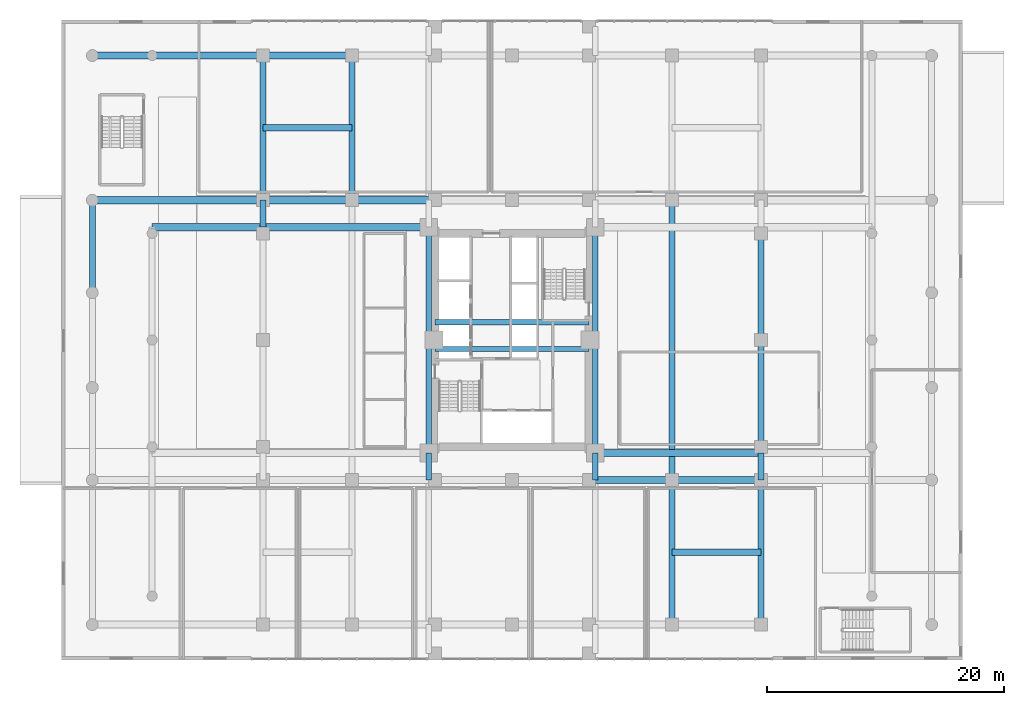
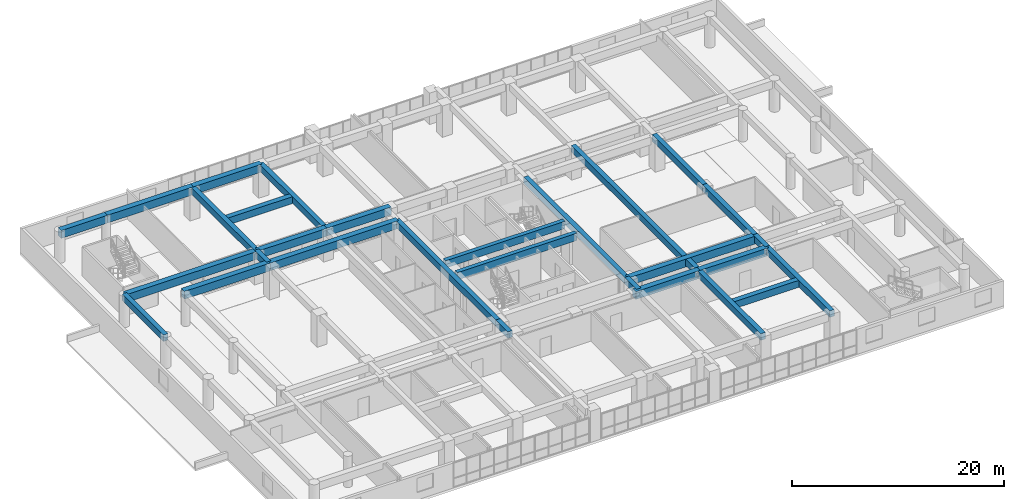
# One storey, part 7 of 27: 29 beams.
"""IFC4 building model written with IfcOpenShell, lengths in metres."""

from ifc_helpers import new_model, si_unit, direction, frame, origin, origin_2d, place, context, subcontext, project, spatial, rectangle, extrude, source, transform, mapped, material, material_profile, profile_set, type_object, element, save


model = new_model("IFC4")

# Units and contexts
model_context = context("Model", 3, precision=1e-05, world=origin(), true_north=direction((0.0, 1.0)))
body_context = subcontext(model_context, "Body", "Model", "MODEL_VIEW")
ifc_project = project(units=[si_unit("LENGTHUNIT", "METRE"), si_unit("AREAUNIT", "SQUARE_METRE"), si_unit("VOLUMEUNIT", "CUBIC_METRE"), si_unit("PLANEANGLEUNIT", "RADIAN"), si_unit("MASSUNIT", "GRAM", prefix="KILO")], contexts=[model_context])

# Site, building, storey
site_placement = place(None, origin())
site = spatial("IfcSite", under=ifc_project, at=site_placement, CompositionType="ELEMENT")
building_placement = place(site_placement, origin())
building = spatial("IfcBuilding", under=site, at=building_placement, Name="Saelheon Loggia Tower", CompositionType="ELEMENT")
storey_placement = place(building_placement, frame((0.0, 0.0, 4.199951171875)))
storey = spatial("IfcBuildingStorey", under=building, at=storey_placement, Name="L01", CompositionType="ELEMENT", Elevation=4.199951171875)

# Beams
ifc_material_1 = material(Name="Concrete C50/60", Category="concrete")
ifc_material_profile_1 = material_profile(ifc_material_1, rectangle(XDim=0.449951171875, YDim=0.85009765625, at=origin_2d()), Name="RC-450x850")
ifc_profile_set_1 = profile_set([ifc_material_profile_1], Name="Concrete C50/60")
beam_type_1 = type_object("IfcBeamType", Name="Beam_CoreLintel_RC450x850", PredefinedType="LINTEL", material=ifc_profile_set_1)
shared_shape_1 = source(origin(), body_context, "Body", "SweptSolid", [
    extrude(rectangle(XDim=0.449951171875, YDim=0.85009765625, at=origin_2d()), origin(), (0.0, 0.0, 1.0), 13.0),
])
for number, where, z_axis, x_axis, name in (
    (1, (31.5, 26.25, 3.175048828125), (1.0, 0.0, 0.0), (0.0, 1.0, 0.0), "L01 Core Coupling Lintel 1"),
    (2, (31.5, 28.5, 3.175048828125), (1.0, 0.0, 0.0), (0.0, 1.0, 0.0), "L01 Core Coupling Lintel 2"),
):
    element("IfcBeam", number, at=place(storey_placement, frame(where, z_axis=z_axis, x_axis=x_axis)), inside=storey, type_object=beam_type_1, Name=name, PredefinedType="LINTEL", context=body_context, shape_type="MappedRepresentation", body=[
        mapped(shared_shape_1, transform((0.0, 0.0, 0.0), scale=1.0)),
    ])
ifc_material_profile_2 = material_profile(ifc_material_1, rectangle(XDim=0.60009765625, YDim=0.89990234375, at=origin_2d()), Name="RC-600x900")
ifc_profile_set_2 = profile_set([ifc_material_profile_2], Name="Concrete C50/60")
beam_type_2 = type_object("IfcBeamType", Name="Beam_MainGirder_RC600x900", PredefinedType="BEAM", material=ifc_profile_set_2)
shared_shape_2 = source(origin(), body_context, "Body", "SweptSolid", [
    extrude(rectangle(XDim=0.60009765625, YDim=0.89990234375, at=origin_2d()), origin(), (0.0, 0.0, 1.0), 14.39990234375),
])
beam_1_placement = place(storey_placement, frame((2.60009765625, 38.800048828125, 3.150146484375), z_axis=(1.0, 0.0, 0.0), x_axis=(0.0, 1.0, 0.0)))
element("IfcBeam", 3, at=beam_1_placement, inside=storey, type_object=beam_type_2, Name="BM-L01-EW-38-1", PredefinedType="BEAM", context=body_context, shape_type="MappedRepresentation", body=[
    mapped(shared_shape_2, transform((0.0, 0.0, 0.0), scale=1.0)),
])
shared_shape_3 = source(origin(), body_context, "Body", "SweptSolid", [
    extrude(rectangle(XDim=0.60009765625, YDim=0.89990234375, at=origin_2d()), origin(), (0.0, 0.0, 1.0), 7.5),
])
for number, where, z_axis, x_axis, name in (
    (4, (51.5, 15.199951171875, 3.150146484375), (1.0, 0.0, 0.0), (0.0, 1.0, 0.0), "BM-L01-EW-15-7"),
    (5, (17.0, 38.800048828125, 3.150146484375), (1.0, 0.0, 0.0), (0.0, 1.0, 0.0), "BM-L01-EW-38-2"),
    (6, (17.0, 51.0, 3.150146484375), (1.0, 0.0, 0.0), (0.0, 1.0, 0.0), "BM-L01-EW-51-3"),
):
    element("IfcBeam", number, at=place(storey_placement, frame(where, z_axis=z_axis, x_axis=x_axis)), inside=storey, type_object=beam_type_2, Name=name, PredefinedType="BEAM", context=body_context, shape_type="MappedRepresentation", body=[
        mapped(shared_shape_3, transform((0.0, 0.0, 0.0), scale=1.0)),
    ])
shared_shape_4 = source(origin(), body_context, "Body", "SweptSolid", [
    extrude(rectangle(XDim=0.60009765625, YDim=0.89990234375, at=origin_2d()), origin(), (0.0, 0.0, 1.0), 7.0),
])
for number, where, z_axis, x_axis, name in (
    (7, (44.5, 15.199951171875, 3.150146484375), (1.0, 0.0, 0.0), (0.0, 1.0, 0.0), "BM-L01-EW-15-6"),
    (8, (24.5, 38.800048828125, 3.150146484375), (1.0, 0.0, 0.0), (0.0, 1.0, 0.0), "BM-L01-EW-38-3"),
):
    element("IfcBeam", number, at=place(storey_placement, frame(where, z_axis=z_axis, x_axis=x_axis)), inside=storey, type_object=beam_type_2, Name=name, PredefinedType="BEAM", context=body_context, shape_type="MappedRepresentation", body=[
        mapped(shared_shape_4, transform((0.0, 0.0, 0.0), scale=1.0)),
    ])
shared_shape_5 = source(origin(), body_context, "Body", "SweptSolid", [
    extrude(rectangle(XDim=0.60009765625, YDim=0.89990234375, at=origin_2d()), origin(), (0.0, 0.0, 1.0), 5.0498046875),
])
beam_2_placement = place(storey_placement, frame((2.60009765625, 51.0, 3.150146484375), z_axis=(1.0, 0.0, 0.0), x_axis=(0.0, 1.0, 0.0)))
element("IfcBeam", 9, at=beam_2_placement, inside=storey, type_object=beam_type_2, Name="BM-L01-EW-51-1", PredefinedType="BEAM", context=body_context, shape_type="MappedRepresentation", body=[
    mapped(shared_shape_5, transform((0.0, 0.0, 0.0), scale=1.0)),
])
shared_shape_6 = source(origin(), body_context, "Body", "SweptSolid", [
    extrude(rectangle(XDim=0.60009765625, YDim=0.89990234375, at=origin_2d()), origin(), (0.0, 0.0, 1.0), 9.35009765625),
])
for number, where, z_axis, x_axis, name in (
    (10, (7.64990234375, 51.0, 3.150146484375), (1.0, 0.0, 0.0), (0.0, 1.0, 0.0), "BM-L01-EW-51-2"),
    (11, (7.64990234375, 36.52001953125, 3.150146484375), (1.0, 0.0, 0.0), (0.0, 1.0, 0.0), "BM-L01-CT-36-W1"),
):
    element("IfcBeam", number, at=place(storey_placement, frame(where, z_axis=z_axis, x_axis=x_axis)), inside=storey, type_object=beam_type_2, Name=name, PredefinedType="BEAM", context=body_context, shape_type="MappedRepresentation", body=[
        mapped(shared_shape_6, transform((0.0, 0.0, 0.0), scale=1.0)),
    ])
shared_shape_7 = source(origin(), body_context, "Body", "SweptSolid", [
    extrude(rectangle(XDim=0.60009765625, YDim=0.89990234375, at=origin_2d()), origin(), (0.0, 0.0, 1.0), 13.97998046875),
])
for number, where, z_axis, x_axis, name in (
    (12, (45.02001953125, 17.47998046875, 3.150146484375), (1.0, 0.0, 0.0), (0.0, 1.0, 0.0), "BM-L01-CT-17-E2"),
    (13, (17.0, 36.52001953125, 3.150146484375), (1.0, 0.0, 0.0), (0.0, 1.0, 0.0), "BM-L01-CT-36-W2"),
):
    element("IfcBeam", number, at=place(storey_placement, frame(where, z_axis=z_axis, x_axis=x_axis)), inside=storey, type_object=beam_type_2, Name=name, PredefinedType="BEAM", context=body_context, shape_type="MappedRepresentation", body=[
        mapped(shared_shape_7, transform((0.0, 0.0, 0.0), scale=1.0)),
    ])
ifc_material_2 = material(Name="Concrete C45/55", Category="concrete")
ifc_material_profile_3 = material_profile(ifc_material_2, rectangle(XDim=0.5, YDim=0.75, at=origin_2d()), Name="RC-500x750")
ifc_profile_set_3 = profile_set([ifc_material_profile_3], Name="Concrete C45/55")
beam_type_3 = type_object("IfcBeamType", Name="Beam_FloorGirder_RC500x750", PredefinedType="BEAM", material=ifc_profile_set_3)
shared_shape_8 = source(origin(), body_context, "Body", "SweptSolid", [
    extrude(rectangle(XDim=0.5, YDim=0.75, at=origin_2d()), origin(), (0.0, 0.0, 1.0), 12.199951171875),
])
for number, where, z_axis, x_axis, name in (
    (14, (17.0, 38.800048828125, 3.22509765625), (0.0, 1.0, 0.0), (-1.0, 0.0, 0.0), "BM-L01-NS-17-6"),
    (15, (24.5, 38.800048828125, 3.22509765625), (0.0, 1.0, 0.0), (-1.0, 0.0, 0.0), "BM-L01-NS-24-3"),
    (16, (51.5, 3.0, 3.22509765625), (0.0, 1.0, 0.0), (-1.0, 0.0, 0.0), "BM-L01-NS-51-1"),
    (17, (59.0, 3.0, 3.22509765625), (0.0, 1.0, 0.0), (-1.0, 0.0, 0.0), "BM-L01-NS-59-1"),
):
    element("IfcBeam", number, at=place(storey_placement, frame(where, z_axis=z_axis, x_axis=x_axis)), inside=storey, type_object=beam_type_3, Name=name, PredefinedType="BEAM", context=body_context, shape_type="MappedRepresentation", body=[
        mapped(shared_shape_8, transform((0.0, 0.0, 0.0), scale=1.0)),
    ])
ifc_material_profile_4 = material_profile(ifc_material_2, rectangle(XDim=0.5, YDim=0.75, at=origin_2d()), Name="RC-500x750")
ifc_profile_set_4 = profile_set([ifc_material_profile_4], Name="Concrete C45/55")
beam_type_4 = type_object("IfcBeamType", Name="Beam_PerimGirder_RC500x750", PredefinedType="BEAM", material=ifc_profile_set_4)
shared_shape_9 = source(origin(), body_context, "Body", "SweptSolid", [
    extrude(rectangle(XDim=0.5, YDim=0.75, at=origin_2d()), origin(), (0.0, 0.0, 1.0), 7.800048828125),
])
beam_3_placement = place(storey_placement, frame((2.60009765625, 31.0, 3.22509765625), z_axis=(0.0, 1.0, 0.0), x_axis=(-1.0, 0.0, 0.0)))
element("IfcBeam", 18, at=beam_3_placement, inside=storey, type_object=beam_type_4, Name="BM-L01-NS-2-4", PredefinedType="BEAM", context=body_context, shape_type="MappedRepresentation", body=[
    mapped(shared_shape_9, transform((0.0, 0.0, 0.0), scale=1.0)),
])
shared_shape_10 = source(origin(), body_context, "Body", "SweptSolid", [
    extrude(rectangle(XDim=0.5, YDim=0.75, at=origin_2d()), origin(), (0.0, 0.0, 1.0), 9.52001953125),
])
for number, where, z_axis, x_axis, name in (
    (19, (59.0, 17.47998046875, 3.22509765625), (0.0, 1.0, 0.0), (-1.0, 0.0, 0.0), "BM-L01-NS-59-3"),
    (20, (59.0, 27.0, 3.22509765625), (0.0, 1.0, 0.0), (-1.0, 0.0, 0.0), "BM-L01-NS-59-4"),
):
    element("IfcBeam", number, at=place(storey_placement, frame(where, z_axis=z_axis, x_axis=x_axis)), inside=storey, type_object=beam_type_3, Name=name, PredefinedType="BEAM", context=body_context, shape_type="MappedRepresentation", body=[
        mapped(shared_shape_10, transform((0.0, 0.0, 0.0), scale=1.0)),
    ])
shared_shape_11 = source(origin(), body_context, "Body", "SweptSolid", [
    extrude(rectangle(XDim=0.5, YDim=0.75, at=origin_2d()), origin(), (0.0, 0.0, 1.0), 2.280029296875),
])
for number, where, z_axis, x_axis, name in (
    (21, (17.0, 36.52001953125, 3.22509765625), (0.0, 1.0, 0.0), (-1.0, 0.0, 0.0), "BM-L01-NS-17-5"),
    (22, (30.97998046875, 15.199951171875, 3.22509765625), (0.0, 1.0, 0.0), (-1.0, 0.0, 0.0), "BM-L01-NS-30-3"),
    (23, (45.02001953125, 15.199951171875, 3.22509765625), (0.0, 1.0, 0.0), (-1.0, 0.0, 0.0), "BM-L01-NS-45-3"),
    (24, (59.0, 15.199951171875, 3.22509765625), (0.0, 1.0, 0.0), (-1.0, 0.0, 0.0), "BM-L01-NS-59-2"),
):
    element("IfcBeam", number, at=place(storey_placement, frame(where, z_axis=z_axis, x_axis=x_axis)), inside=storey, type_object=beam_type_3, Name=name, PredefinedType="BEAM", context=body_context, shape_type="MappedRepresentation", body=[
        mapped(shared_shape_11, transform((0.0, 0.0, 0.0), scale=1.0)),
    ])
shared_shape_12 = source(origin(), body_context, "Body", "SweptSolid", [
    extrude(rectangle(XDim=0.5, YDim=0.75, at=origin_2d()), origin(), (0.0, 0.0, 1.0), 23.60009765625),
])
beam_4_placement = place(storey_placement, frame((51.5, 15.199951171875, 3.22509765625), z_axis=(0.0, 1.0, 0.0), x_axis=(-1.0, 0.0, 0.0)))
element("IfcBeam", 25, at=beam_4_placement, inside=storey, type_object=beam_type_3, Name="BM-L01-NS-51-2", PredefinedType="BEAM", context=body_context, shape_type="MappedRepresentation", body=[
    mapped(shared_shape_12, transform((0.0, 0.0, 0.0), scale=1.0)),
])
shared_shape_13 = source(origin(), body_context, "Body", "SweptSolid", [
    extrude(rectangle(XDim=0.5, YDim=0.75, at=origin_2d()), origin(), (0.0, 0.0, 1.0), 19.0400390625),
])
for number, where, z_axis, x_axis, name in (
    (26, (30.97998046875, 17.47998046875, 3.22509765625), (0.0, 1.0, 0.0), (-1.0, 0.0, 0.0), "BM-L01-NS-30-4"),
    (27, (45.02001953125, 17.47998046875, 3.22509765625), (0.0, 1.0, 0.0), (-1.0, 0.0, 0.0), "BM-L01-NS-45-4"),
):
    element("IfcBeam", number, at=place(storey_placement, frame(where, z_axis=z_axis, x_axis=x_axis)), inside=storey, type_object=beam_type_3, Name=name, PredefinedType="BEAM", context=body_context, shape_type="MappedRepresentation", body=[
        mapped(shared_shape_13, transform((0.0, 0.0, 0.0), scale=1.0)),
    ])
ifc_material_profile_5 = material_profile(ifc_material_2, rectangle(XDim=0.550048828125, YDim=0.800048828125, at=origin_2d()), Name="RC-550x800")
ifc_profile_set_5 = profile_set([ifc_material_profile_5], Name="Concrete C45/55")
beam_type_5 = type_object("IfcBeamType", Name="Beam_ClinicGirder_RC550x800", PredefinedType="BEAM", material=ifc_profile_set_5)
shared_shape_14 = source(origin(), body_context, "Body", "SweptSolid", [
    extrude(rectangle(XDim=0.550048828125, YDim=0.800048828125, at=origin_2d()), origin(), (0.0, 0.0, 1.0), 7.5),
])
for number, where, z_axis, x_axis, name in (
    (28, (51.5, 9.10009765625, 3.199951171875), (1.0, 0.0, 0.0), (0.0, 1.0, 0.0), "JST-L01-CL-SE"),
    (29, (17.0, 44.89990234375, 3.199951171875), (1.0, 0.0, 0.0), (0.0, 1.0, 0.0), "JST-L01-CL-NW"),
):
    element("IfcBeam", number, at=place(storey_placement, frame(where, z_axis=z_axis, x_axis=x_axis)), inside=storey, type_object=beam_type_5, Name=name, PredefinedType="BEAM", context=body_context, shape_type="MappedRepresentation", body=[
        mapped(shared_shape_14, transform((0.0, 0.0, 0.0), scale=1.0)),
    ])

save(model, "model.ifc")
